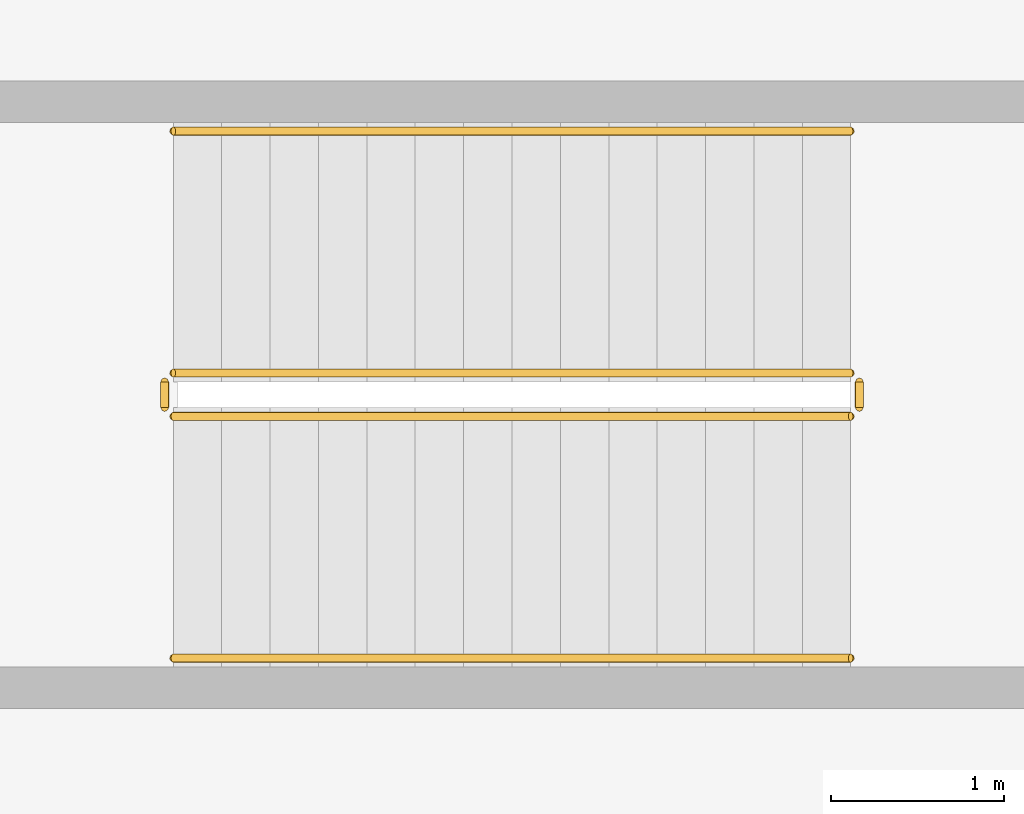
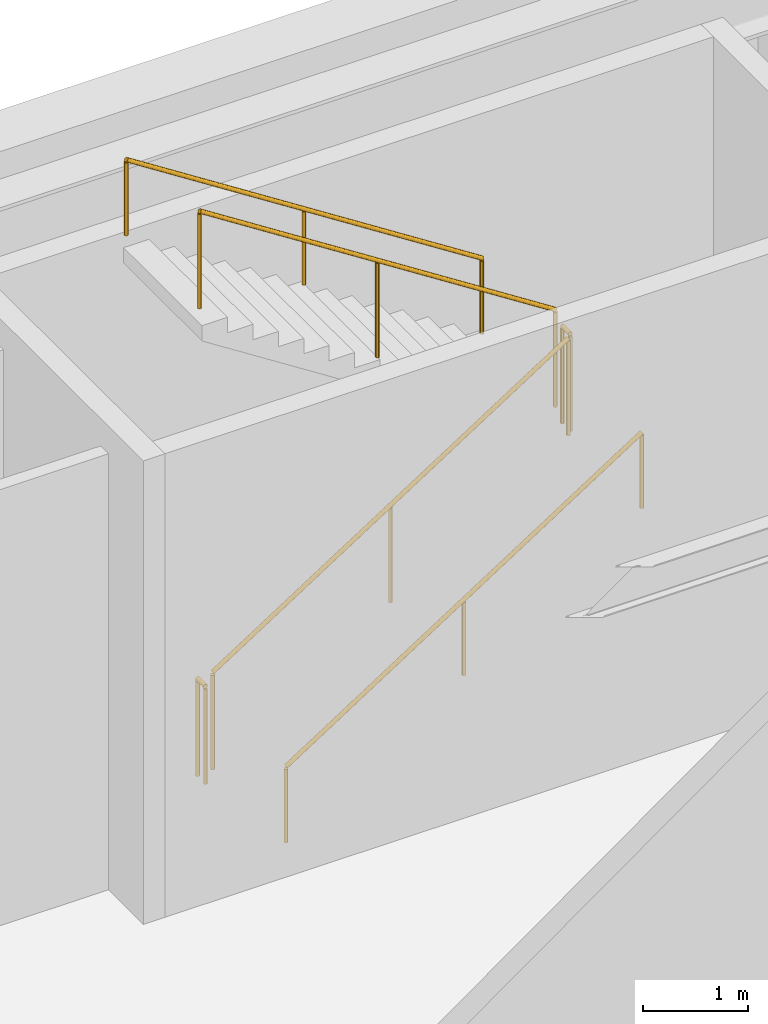
# One storey, part 25 of 25: 6 railings.
"""IFC4 building model written with IfcOpenShell, lengths in metres."""

from ifc_helpers import new_model, si_unit, direction, frame, origin, origin_2d, place, context, subcontext, project, spatial, circle, extrude, material, type_object, element, save


model = new_model("IFC4")

# Units and contexts
model_context = context("Model", 3, precision=1e-05, world=origin(), true_north=direction((0.0, 1.0)))
body_context = subcontext(model_context, "Body", "Model", "MODEL_VIEW")
ifc_project = project(units=[si_unit("LENGTHUNIT", "METRE"), si_unit("AREAUNIT", "SQUARE_METRE"), si_unit("VOLUMEUNIT", "CUBIC_METRE"), si_unit("PLANEANGLEUNIT", "RADIAN"), si_unit("MASSUNIT", "GRAM", prefix="KILO")], contexts=[model_context])

# Site, building, storey
site_placement = place(None, origin())
site = spatial("IfcSite", under=ifc_project, at=site_placement, CompositionType="ELEMENT")
building_placement = place(site_placement, origin())
building = spatial("IfcBuilding", under=site, at=building_placement, Name="Soratama Intermodal Tower", CompositionType="ELEMENT")
storey_placement = place(building_placement, frame((0.0, 0.0, -5.39990234375)))
storey = spatial("IfcBuildingStorey", under=building, at=storey_placement, Name="B1", CompositionType="ELEMENT", Elevation=-5.39990234375)

# Railings
ifc_material_1 = material(Name="Painted steel stair guardrail", Category="steel")
railing_type_1 = type_object("IfcRailingType", Name="RL-STAIR-GUARD", PredefinedType="GUARDRAIL", material=ifc_material_1)
railing_1_placement = place(storey_placement, frame((74.5, 43.949951171875, 0.179931640625)))
element("IfcRailing", 1, at=railing_1_placement, inside=storey, type_object=railing_type_1, Name="B1 ST-4 stair guard 1", PredefinedType="GUARDRAIL", context=body_context, shape_type="SweptSolid", body=[
    extrude(circle(Radius=0.02392578125, at=origin_2d()), frame((0.0, 0.0, 1.1259765625), z_axis=(0.841171666519, 0.0, 0.540768182723), x_axis=(0.0, 1.0, 0.0)), (0.0, 0.0, 1.0), 4.66015625),
    extrude(circle(Radius=0.02099609375, at=origin_2d()), origin(), (0.0, 0.0, 1.0), 1.101806640625),
    extrude(circle(Radius=0.02099609375, at=origin_2d()), frame((1.9599609375, 0.0, 1.260009765625)), (0.0, 0.0, 1.0), 1.101806640625),
    extrude(circle(Radius=0.02099609375, at=origin_2d()), frame((3.919921875, 0.0, 2.52001953125)), (0.0, 0.0, 1.0), 1.101806640625),
])
railing_2_placement = place(storey_placement, frame((78.469970703125, 44.0, 2.699951171875)))
element("IfcRailing", 2, at=railing_2_placement, inside=storey, type_object=railing_type_1, Name="B1 ST-4 stair guard 2", PredefinedType="GUARDRAIL", context=body_context, shape_type="SweptSolid", body=[
    extrude(circle(Radius=0.02392578125, at=origin_2d()), frame((0.0, 0.0, 1.1259765625), z_axis=(0.0, 1.0, 0.0), x_axis=(-1.0, 0.0, 0.0)), (0.0, 0.0, 1.0), 0.14990234375),
    extrude(circle(Radius=0.02099609375, at=origin_2d()), origin(), (0.0, 0.0, 1.0), 1.101806640625),
    extrude(circle(Radius=0.02099609375, at=origin_2d()), frame((0.0, 0.14990234375, 0.0)), (0.0, 0.0, 1.0), 1.101806640625),
])
railing_3_placement = place(storey_placement, frame((78.419921875, 44.199951171875, 2.8798828125)))
element("IfcRailing", 3, at=railing_3_placement, inside=storey, type_object=railing_type_1, Name="B1 ST-4 stair guard 3", PredefinedType="GUARDRAIL", context=body_context, shape_type="SweptSolid", body=[
    extrude(circle(Radius=0.02392578125, at=origin_2d()), frame((0.0, 0.0, 1.1259765625), z_axis=(-0.841171666519, 0.0, 0.540768182723), x_axis=(0.0, -1.0, 0.0)), (0.0, 0.0, 1.0), 4.66015625),
    extrude(circle(Radius=0.02099609375, at=origin_2d()), origin(), (0.0, 0.0, 1.0), 1.101806640625),
    extrude(circle(Radius=0.02099609375, at=origin_2d()), frame((-1.9599609375, 0.0, 1.260009765625)), (0.0, 0.0, 1.0), 1.101806640625),
    extrude(circle(Radius=0.02099609375, at=origin_2d()), frame((-3.919921875, 0.0, 2.52001953125)), (0.0, 0.0, 1.0), 1.101806640625),
])
railing_4_placement = place(storey_placement, frame((74.449951171875, 44.0, 0.0)))
element("IfcRailing", 4, at=railing_4_placement, inside=storey, type_object=railing_type_1, Name="B1 ST-4 stair guard 4", PredefinedType="GUARDRAIL", context=body_context, shape_type="SweptSolid", body=[
    extrude(circle(Radius=0.02392578125, at=origin_2d()), frame((0.0, 0.0, 1.1259765625), z_axis=(0.0, 1.0, 0.0), x_axis=(-1.0, 0.0, 0.0)), (0.0, 0.0, 1.0), 0.14990234375),
    extrude(circle(Radius=0.02099609375, at=origin_2d()), origin(), (0.0, 0.0, 1.0), 1.101806640625),
    extrude(circle(Radius=0.02099609375, at=origin_2d()), frame((0.0, 0.14990234375, 0.0)), (0.0, 0.0, 1.0), 1.101806640625),
])
ifc_material_2 = material(Name="Brushed stainless steel handrail", Category="steel")
railing_type_2 = type_object("IfcRailingType", Name="RL-STAIR-HAND", PredefinedType="HANDRAIL", material=ifc_material_2)
railing_5_placement = place(storey_placement, frame((74.5, 42.550048828125, 0.179931640625)))
element("IfcRailing", 5, at=railing_5_placement, inside=storey, type_object=railing_type_2, Name="B1 ST-4 stair handrail 1", PredefinedType="HANDRAIL", context=body_context, shape_type="SweptSolid", body=[
    extrude(circle(Radius=0.02392578125, at=origin_2d()), frame((0.0, 0.0, 0.8759765625), z_axis=(0.841171666519, 0.0, 0.540768182723), x_axis=(0.0, 1.0, 0.0)), (0.0, 0.0, 1.0), 4.66015625),
    extrude(circle(Radius=0.02099609375, at=origin_2d()), origin(), (0.0, 0.0, 1.0), 0.851806640625),
    extrude(circle(Radius=0.02099609375, at=origin_2d()), frame((1.9599609375, 0.0, 1.260009765625)), (0.0, 0.0, 1.0), 0.851806640625),
    extrude(circle(Radius=0.02099609375, at=origin_2d()), frame((3.919921875, 0.0, 2.52001953125)), (0.0, 0.0, 1.0), 0.851806640625),
])
railing_6_placement = place(storey_placement, frame((78.419921875, 45.60009765625, 2.8798828125)))
element("IfcRailing", 6, at=railing_6_placement, inside=storey, type_object=railing_type_2, Name="B1 ST-4 stair handrail 2", PredefinedType="HANDRAIL", context=body_context, shape_type="SweptSolid", body=[
    extrude(circle(Radius=0.02392578125, at=origin_2d()), frame((0.0, 0.0, 0.8759765625), z_axis=(-0.841171666519, 0.0, 0.540768182723), x_axis=(0.0, -1.0, 0.0)), (0.0, 0.0, 1.0), 4.66015625),
    extrude(circle(Radius=0.02099609375, at=origin_2d()), origin(), (0.0, 0.0, 1.0), 0.851806640625),
    extrude(circle(Radius=0.02099609375, at=origin_2d()), frame((-1.9599609375, 0.0, 1.260009765625)), (0.0, 0.0, 1.0), 0.851806640625),
    extrude(circle(Radius=0.02099609375, at=origin_2d()), frame((-3.919921875, 0.0, 2.52001953125)), (0.0, 0.0, 1.0), 0.851806640625),
])

save(model, "model.ifc")
